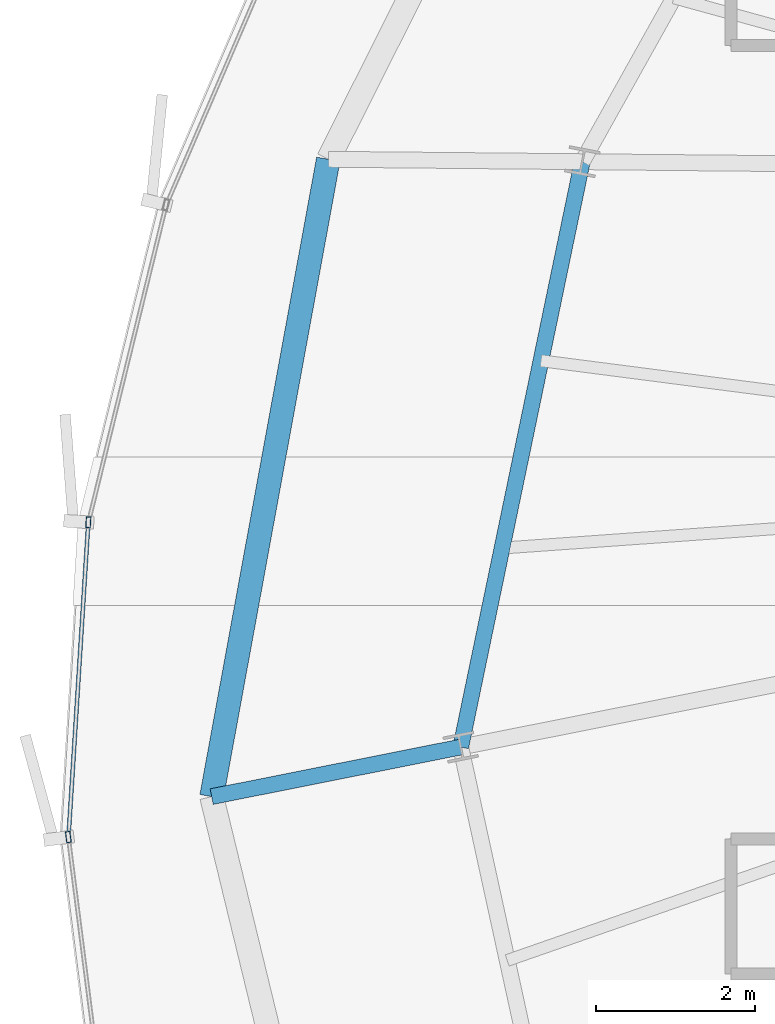
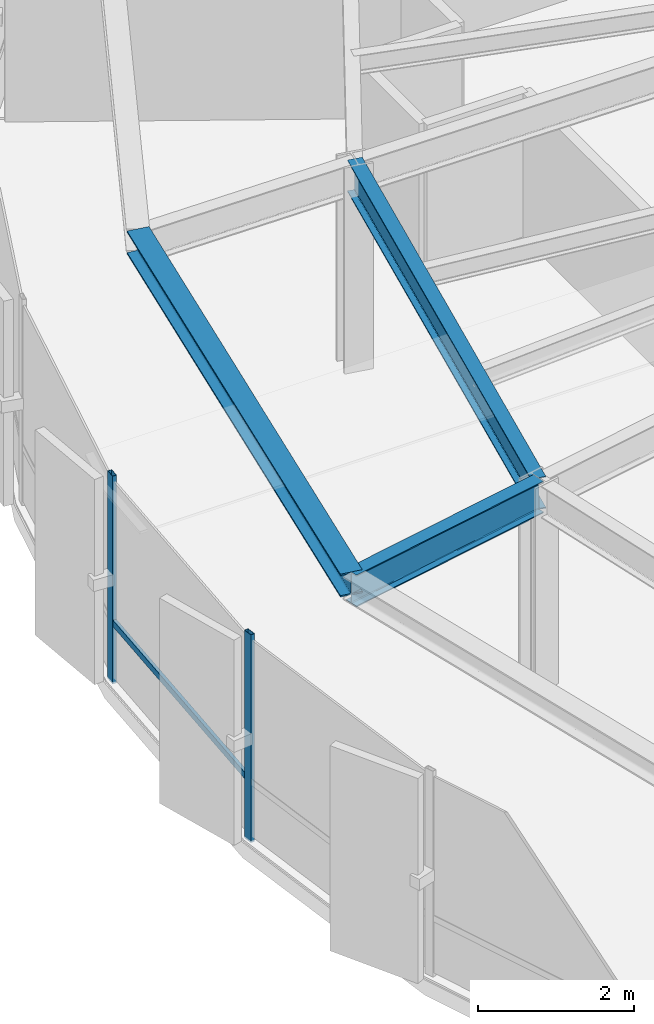
# One storey, part 9 of 34: 3 beams, 3 members, 1 element without a shape of its own.
"""IFC4 building model written with IfcOpenShell, lengths in metres."""

from ifc_helpers import new_model, si_unit, direction, frame, origin, origin_2d, place, context, subcontext, project, spatial, hollow_rectangle, i_section, extrude, source, transform, mapped, material, layer, layer_set, material_profile, profile_set, type_object, element, aggregate, save


model = new_model("IFC4")

# Units and contexts
model_context = context("Model", 3, precision=1e-05, world=origin(), true_north=direction((0.0, 1.0)))
body_context = subcontext(model_context, "Body", "Model", "MODEL_VIEW")
ifc_project = project(units=[si_unit("LENGTHUNIT", "METRE"), si_unit("AREAUNIT", "SQUARE_METRE"), si_unit("VOLUMEUNIT", "CUBIC_METRE"), si_unit("PLANEANGLEUNIT", "RADIAN"), si_unit("MASSUNIT", "GRAM", prefix="KILO"), si_unit("THERMODYNAMICTEMPERATUREUNIT", "KELVIN")], contexts=[model_context])

# Site, building, storey
site_placement = place(None, origin())
site = spatial("IfcSite", under=ifc_project, at=site_placement, CompositionType="ELEMENT")
building_placement = place(site_placement, origin())
building = spatial("IfcBuilding", under=site, at=building_placement, Name="Kethvar Cultural Tower", CompositionType="ELEMENT")
storey_placement = place(building_placement, frame((0.0, 0.0, 183.39990234375)))
storey = spatial("IfcBuildingStorey", under=building, at=storey_placement, Name="L47", CompositionType="ELEMENT", Elevation=183.39990234375)

# Beams
ifc_material_1 = material(Name="Steel S355J2", Category="steel")
ifc_material_profile_1 = material_profile(ifc_material_1, i_section(OverallWidth=0.199951171875, OverallDepth=0.5, WebThickness=0.01025390625, FlangeThickness=0.01611328125, FilletRadius=0.02099609375, at=origin_2d()), Name="Steel S355J2 — IPE500")
ifc_profile_set_1 = profile_set([ifc_material_profile_1], Name="Steel S355J2 — IPE500")
beam_type_1 = type_object("IfcBeamType", Name="BM-IPE500", PredefinedType="BEAM", material=ifc_profile_set_1)
shared_shape_1 = source(origin(), body_context, "Body", "SweptSolid", [
    extrude(i_section(OverallWidth=0.199951171875, OverallDepth=0.5, WebThickness=0.01025390625, FlangeThickness=0.01611328125, FilletRadius=0.02099609375, at=origin_2d()), origin(), (0.0, 0.0, 1.0), 3.199951171875),
])
beam_1_placement = place(storey_placement, frame((27.492919921875, 23.959716796875, 3.008056640625), z_axis=(-0.980770949178, -0.195162356126, 0.0), x_axis=(0.195162356126, -0.980770949178, 0.0)))
element("IfcBeam", 1, at=beam_1_placement, inside=storey, type_object=beam_type_1, Name="L47 Perimeter Cantilever Beam RC-09", PredefinedType="BEAM", context=body_context, shape_type="MappedRepresentation", body=[
    mapped(shared_shape_1, transform((0.0, 0.0, 0.0), scale=1.0)),
])
shared_shape_2 = source(origin(), body_context, "Body", "SweptSolid", [
    extrude(i_section(OverallWidth=0.199951171875, OverallDepth=0.5, WebThickness=0.01025390625, FlangeThickness=0.01611328125, FilletRadius=0.02099609375, at=origin_2d()), origin(), (0.0, 0.0, 1.0), 7.533447265625),
])
beam_2_placement = place(storey_placement, frame((29.02490234375, 31.335693359375, 3.008056640625), z_axis=(-0.203358905185, -0.979104261906, 0.0), x_axis=(0.979104261906, -0.203358905185, 0.0)))
element("IfcBeam", 2, at=beam_2_placement, inside=storey, type_object=beam_type_1, Name="L47 Column Ring Tie Beam CR-08", PredefinedType="BEAM", context=body_context, shape_type="MappedRepresentation", body=[
    mapped(shared_shape_2, transform((0.0, 0.0, 0.0), scale=1.0)),
])
ifc_material_profile_2 = material_profile(ifc_material_1, i_section(OverallWidth=0.300048828125, OverallDepth=0.360107421875, WebThickness=0.012451171875, FlangeThickness=0.0224609375, FilletRadius=0.027099609375, at=origin_2d()), Name="Steel S355J2 — HEB360")
ifc_profile_set_2 = profile_set([ifc_material_profile_2], Name="Steel S355J2 — HEB360")
beam_type_2 = type_object("IfcBeamType", Name="BM-SP360", PredefinedType="SPANDREL", material=ifc_profile_set_2)
shared_shape_3 = source(origin(), body_context, "Body", "SweptSolid", [
    extrude(i_section(OverallWidth=0.300048828125, OverallDepth=0.360107421875, WebThickness=0.012451171875, FlangeThickness=0.0224609375, FilletRadius=0.027099609375, at=origin_2d()), origin(), (0.0, 0.0, 1.0), 8.16455078125),
])
beam_3_placement = place(storey_placement, frame((25.824951171875, 31.3662109375, 3.078125), z_axis=(-0.180103654572, -0.983647636916, 0.0), x_axis=(0.983647636916, -0.180103654572, 0.0)))
element("IfcBeam", 3, at=beam_3_placement, inside=storey, type_object=beam_type_2, Name="L47 Perimeter Spandrel Beam SP-08", PredefinedType="SPANDREL", context=body_context, shape_type="MappedRepresentation", body=[
    mapped(shared_shape_3, transform((0.0, 0.0, 0.0), scale=1.0)),
])

# Curtain wall, members
ifc_material_2 = material(Name="Aluminium 6063-T6", Category="aluminium")
ifc_layer = layer(ifc_material_2, 0.179931640625, Name="Aluminium 6063-T6", Category="aluminium")
ifc_layer_set = layer_set([ifc_layer], Name="Aluminium 6063-T6 (180 mm)")
curtain_wall_type = type_object("IfcCurtainWallType", Name="CW-SYS-04-Z34", PredefinedType="NOTDEFINED", material=ifc_layer_set)
curtain_wall_placement = place(storey_placement, origin())
curtain_wall = element("IfcCurtainWall", 4, at=curtain_wall_placement, inside=storey, type_object=curtain_wall_type, Name="L47 Curtain Wall Run 03", PredefinedType="NOTDEFINED")
ifc_material_profile_3 = material_profile(ifc_material_2, hollow_rectangle(XDim=0.06005859375, YDim=0.139892578125, WallThickness=0.0048828125, at=origin_2d()), Name="Aluminium 6063-T6 — RHS140x60x5")
ifc_profile_set_3 = profile_set([ifc_material_profile_3], Name="Aluminium 6063-T6 — RHS140x60x5")
member_type_1 = type_object("IfcMemberType", Name="CW-SYS-04-Z34-MUL", PredefinedType="MULLION", material=ifc_profile_set_3)
shared_shape_4 = source(origin(), body_context, "Body", "SweptSolid", [
    extrude(hollow_rectangle(XDim=0.06005859375, YDim=0.139892578125, WallThickness=0.0048828125, at=origin_2d()), origin(), (0.0, 0.0, 1.0), 3.260009765625),
])
member_1_placement = place(storey_placement, frame((22.800537109375, 26.792236328125, 0.0), z_axis=(0.0, 0.0, 1.0), x_axis=(0.998022342391, -0.062860194786, 0.0)))
member_1 = element("IfcMember", 5, at=member_1_placement, type_object=member_type_1, Name="CW-L47-R03 Mullion 3", PredefinedType="MULLION", context=body_context, shape_type="MappedRepresentation", body=[
    mapped(shared_shape_4, transform((0.0, 0.0, 0.0), scale=1.0)),
])
member_2_placement = place(storey_placement, frame((22.548828125, 22.825927734375, 0.0), z_axis=(0.0, 0.0, 1.0), x_axis=(0.991965254151, 0.126510610449, 0.0)))
member_2 = element("IfcMember", 6, at=member_2_placement, type_object=member_type_1, Name="CW-L47-R03 Mullion 4", PredefinedType="MULLION", context=body_context, shape_type="MappedRepresentation", body=[
    mapped(shared_shape_4, transform((0.0, 0.0, 0.0), scale=1.0)),
])
ifc_material_profile_4 = material_profile(ifc_material_2, hollow_rectangle(XDim=0.050048828125, YDim=0.10009765625, WallThickness=0.00390625, at=origin_2d()), Name="Aluminium 6063-T6 — RHS100x50x4")
ifc_profile_set_4 = profile_set([ifc_material_profile_4], Name="Aluminium 6063-T6 — RHS100x50x4")
member_type_2 = type_object("IfcMemberType", Name="CW-SYS-04-Z34-TRN", PredefinedType="USERDEFINED", material=ifc_profile_set_4)
shared_shape_5 = source(origin(), body_context, "Body", "SweptSolid", [
    extrude(hollow_rectangle(XDim=0.050048828125, YDim=0.10009765625, WallThickness=0.00390625, at=origin_2d()), origin(), (0.0, 0.0, 1.0), 3.908935546875),
])
member_3_placement = place(storey_placement, frame((22.7978515625, 26.749267578125, 0.9501953125), z_axis=(-0.062833230154, -0.998024040386, 0.0), x_axis=(0.998024040386, -0.062833230154, 0.0)))
member_3 = element("IfcMember", 7, at=member_3_placement, type_object=member_type_2, Name="CW-L47-R03 Transom 3", ObjectType="TRANSOM", PredefinedType="USERDEFINED", context=body_context, shape_type="MappedRepresentation", body=[
    mapped(shared_shape_5, transform((0.0, 0.0, 0.0), scale=1.0)),
])
aggregate(curtain_wall, [member_1, member_2, member_3])

save(model, "model.ifc")
